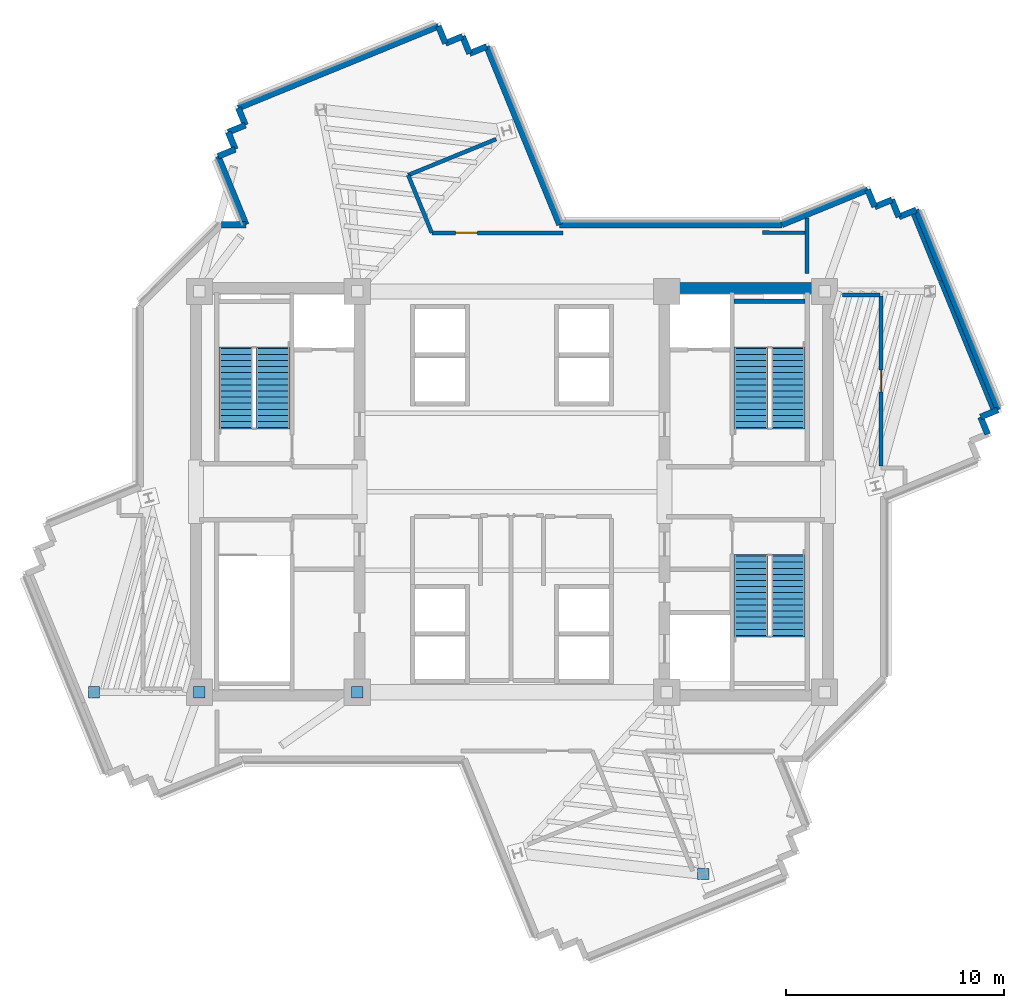
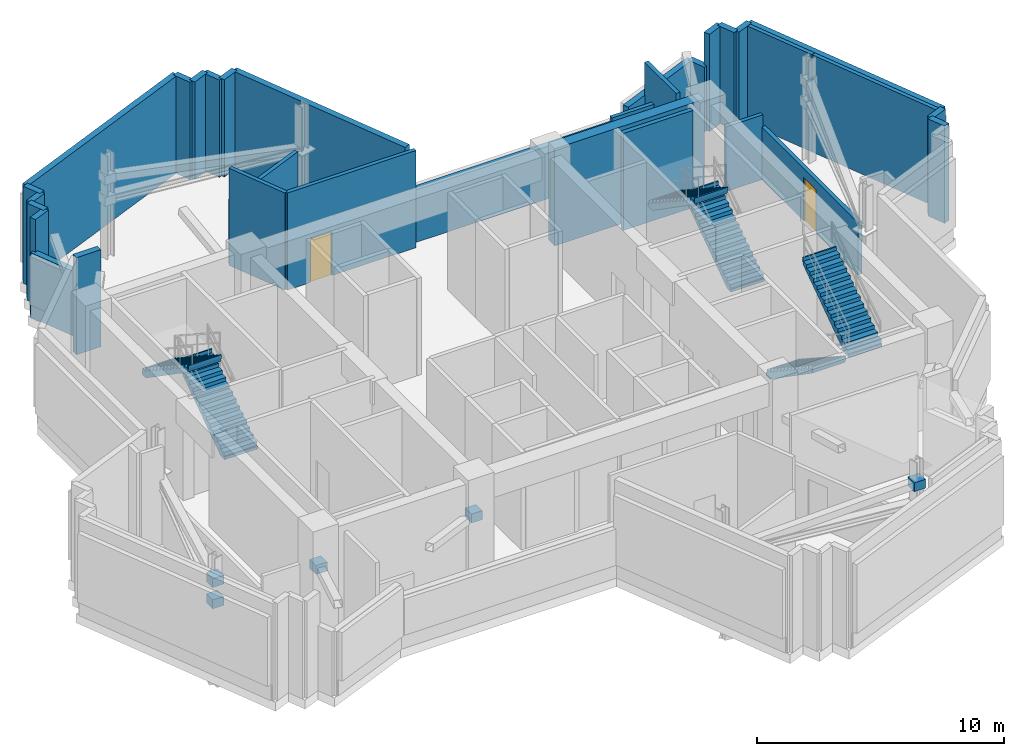
# One storey, part 6 of 11: 32 walls, 6 stair flights, 5 discrete accessories, 2 doors, 2 openings, 3 elements without a shape of their own.
"""IFC4 building model written with IfcOpenShell, lengths in metres."""

import ifcopenshell
import ifcopenshell.guid

model = None  # the IFC model being written
_history = None  # IfcOwnerHistory: only IFC2X3 demands one
_inside = {}  # id of a spatial element -> (the spatial element, [elements in it])
_under = {}  # id of a project, library or spatial element -> (it, [spatial elements below it])
_declared = {}  # id of a project -> (the project, [libraries it declares])
_typed = {}  # id of a type object -> (the type object, [elements of that type])
_made_of = {}  # id of a material, layer set ... -> (it, [elements and type objects made of it])


def new_model(schema):
    """Start an empty IFC model of exactly this schema.

    Asked for "IFC4X3", IfcOpenShell would pick the latest addendum, in which some entities
    have other attributes; the version numbers below select the first issue.
    IFC2X3 requires an IfcOwnerHistory on every rooted entity: one is made here for all.
    """
    global model, _history
    if schema == "IFC4X3":
        model = ifcopenshell.file(schema_version=(4, 3, 0, 0))
    else:
        model = ifcopenshell.file(schema=schema)
    _inside.clear()
    _under.clear()
    _declared.clear()
    _typed.clear()
    _made_of.clear()
    _history = None
    if model.schema == "IFC2X3":
        org = make("IfcOrganization", Name="unknown")
        user = make(
            "IfcPersonAndOrganization",
            ThePerson=make("IfcPerson", FamilyName="unknown"),
            TheOrganization=org,
        )
        app = make(
            "IfcApplication",
            ApplicationDeveloper=org,
            Version="unknown",
            ApplicationFullName="unknown",
            ApplicationIdentifier="unknown",
        )
        _history = make(
            "IfcOwnerHistory",
            OwningUser=user,
            OwningApplication=app,
            ChangeAction="ADDED",
            CreationDate=0,
        )
    return model


def make(cls, **values):
    """One entity of the class cls with the attributes given. An attribute that is None is left unset."""
    return model.create_entity(
        cls, **{name: value for name, value in values.items() if value is not None}
    )


def rooted(cls, **values):
    """An entity with a GlobalId (a new one), such as an element, a storey or a relation."""
    return make(cls, GlobalId=ifcopenshell.guid.new(), OwnerHistory=_history, **values)


def si_unit(unit_type, name, prefix=None):
    """IfcSIUnit, for example si_unit("LENGTHUNIT", "METRE", prefix="MILLI")."""
    return make("IfcSIUnit", UnitType=unit_type, Prefix=prefix, Name=name)


def assignment(units):
    """IfcUnitAssignment: the units of a project."""
    return None if units is None else make("IfcUnitAssignment", Units=units)


def point(xyz):
    """IfcCartesianPoint."""
    return None if xyz is None else make("IfcCartesianPoint", Coordinates=xyz)


def direction(xyz):
    """IfcDirection."""
    return None if xyz is None else make("IfcDirection", DirectionRatios=xyz)


def frame(location, z_axis=None, x_axis=None):
    """IfcAxis2Placement3D, a coordinate frame: its origin and axes. An axis left out is left unset."""
    return make(
        "IfcAxis2Placement3D",
        Location=point(location),
        Axis=direction(z_axis),
        RefDirection=direction(x_axis),
    )


def frame_2d(location, x_axis=None):
    """IfcAxis2Placement2D, a coordinate frame in the plane: its origin and x axis."""
    return make(
        "IfcAxis2Placement2D", Location=point(location), RefDirection=direction(x_axis)
    )


def origin():
    """The frame at (0, 0, 0) with its axes left unset."""
    return frame((0.0, 0.0, 0.0))


def origin_2d():
    """The frame at (0, 0) in the plane with its x axis left unset."""
    return frame_2d((0.0, 0.0))


def place(relative_to, where):
    """IfcLocalPlacement: puts the frame where relative to a parent placement (None: the world)."""
    return make(
        "IfcLocalPlacement", PlacementRelTo=relative_to, RelativePlacement=where
    )


def context(
    kind, dimensions, precision=None, world=None, true_north=None, identifier=None
):
    """IfcGeometricRepresentationContext, for example the 3D "Model" context."""
    return make(
        "IfcGeometricRepresentationContext",
        ContextIdentifier=identifier,
        ContextType=kind,
        CoordinateSpaceDimension=dimensions,
        Precision=precision,
        WorldCoordinateSystem=world,
        TrueNorth=true_north,
    )


def subcontext(parent, identifier, kind, view, scale=None):
    """IfcGeometricRepresentationSubContext, for example "Body" below "Model"."""
    return make(
        "IfcGeometricRepresentationSubContext",
        ContextIdentifier=identifier,
        ContextType=kind,
        ParentContext=parent,
        TargetScale=scale,
        TargetView=view,
    )


def project(units=None, contexts=None):
    """IfcProject with its units and contexts."""
    return rooted(
        "IfcProject",
        Name="project",
        RepresentationContexts=contexts,
        UnitsInContext=assignment(units),
    )


def spatial(cls, under=None, at=None, **own):
    """A site, building, storey or space (cls), placed at a placement, below another one or the project."""
    s = rooted(cls, ObjectPlacement=at, **own)
    if under is not None:
        _under.setdefault(under.id(), (under, []))[1].append(s)
    return s


def polyline(points):
    """IfcPolyline through the points."""
    return make("IfcPolyline", Points=[point(p) for p in points])


def profile(cls, at=None, kind="AREA", **sizes):
    """A parametric profile (cls). Its sizes go by their IFC names, for example OverallWidth=200.0."""
    return make(cls, ProfileType=kind, Position=at, **sizes)


def rectangle(**sizes):
    """IfcRectangleProfileDef."""
    return profile("IfcRectangleProfileDef", **sizes)


def outline(outer, holes=None, kind="AREA"):
    """IfcArbitraryClosedProfileDef: a profile drawn as a closed curve; with holes, ...WithVoids."""
    if holes is None:
        return make("IfcArbitraryClosedProfileDef", ProfileType=kind, OuterCurve=outer)
    return make(
        "IfcArbitraryProfileDefWithVoids",
        ProfileType=kind,
        OuterCurve=outer,
        InnerCurves=holes,
    )


def extrude(swept, where, along, depth):
    """IfcExtrudedAreaSolid: the profile swept, set in the frame where, extruded along a direction by depth."""
    return make(
        "IfcExtrudedAreaSolid",
        SweptArea=swept,
        Position=where,
        ExtrudedDirection=direction(along),
        Depth=depth,
    )


def shape(context_of_items, identifier, shape_type, items):
    """IfcShapeRepresentation: the items that make up one representation, for example the "Body"."""
    return make(
        "IfcShapeRepresentation",
        ContextOfItems=context_of_items,
        RepresentationIdentifier=identifier,
        RepresentationType=shape_type,
        Items=items,
    )


def source(mapping_origin, context_of_items, identifier, shape_type, items):
    """IfcRepresentationMap: a shape defined once, which mapped items show again and again."""
    return make(
        "IfcRepresentationMap",
        MappingOrigin=mapping_origin,
        MappedRepresentation=shape(context_of_items, identifier, shape_type, items),
    )


def transform(
    local_origin,
    x_axis=None,
    y_axis=None,
    z_axis=None,
    scale=None,
    scale2=None,
    scale3=None,
    uniform=True,
):
    """IfcCartesianTransformationOperator3D, or its non-uniform kind. x_axis, y_axis, z_axis: its Axis1, 2, 3."""
    if uniform:
        return make(
            "IfcCartesianTransformationOperator3D",
            Axis1=direction(x_axis),
            Axis2=direction(y_axis),
            LocalOrigin=point(local_origin),
            Scale=scale,
            Axis3=direction(z_axis),
        )
    return make(
        "IfcCartesianTransformationOperator3DnonUniform",
        Axis1=direction(x_axis),
        Axis2=direction(y_axis),
        LocalOrigin=point(local_origin),
        Scale=scale,
        Axis3=direction(z_axis),
        Scale2=scale2,
        Scale3=scale3,
    )


def mapped(mapping_source, mapping_target):
    """IfcMappedItem: shows the shape of a source again, moved by a transform."""
    return make(
        "IfcMappedItem", MappingSource=mapping_source, MappingTarget=mapping_target
    )


def material(Name=None, Category=None):
    """IfcMaterial."""
    return make("IfcMaterial", Name=Name, Category=Category)


def layer(
    of_material, thickness, ventilated=None, Name=None, Category=None, Priority=None
):
    """IfcMaterialLayer: one layer of a wall or slab, of a material (None: an air gap)."""
    return make(
        "IfcMaterialLayer",
        Material=of_material,
        LayerThickness=thickness,
        IsVentilated=ventilated,
        Name=Name,
        Category=Category,
        Priority=Priority,
    )


def layer_set(layers, Name=None):
    """IfcMaterialLayerSet."""
    return make("IfcMaterialLayerSet", MaterialLayers=layers, LayerSetName=Name)


def made_of(thing, what):
    """Note that an element or type object is made of a material, layer set ...; save() writes the relation."""
    if what is not None:
        _made_of.setdefault(what.id(), (what, []))[1].append(thing)
    return thing


def type_object(cls, material=None, **own):
    """A type object (cls), such as IfcWallType, which elements share."""
    return made_of(rooted(cls, **own), material)


def element(
    cls,
    number,
    at=None,
    inside=None,
    cuts=None,
    type_object=None,
    material=None,
    context=None,
    identifier="Body",
    shape_type=None,
    held_by="IfcProductDefinitionShape",
    body=None,
    shapes=None,
    **own,
):
    """One element of the class cls, such as IfcWall. Its Tag is "e" and its number.

    at: its placement. inside: the storey or other place that contains it. cuts: it is an
    opening in that element (IfcRelVoidsElement). A single representation is given by context,
    identifier, shape_type and body (its items); several are given by shapes. held_by: the class
    of the entity that holds the representations. save() writes the other relations.
    """
    e = rooted(cls, Tag="e%d" % number, ObjectPlacement=at, **own)
    if body is not None:
        shapes = [shape(context, identifier, shape_type, body)]
    if shapes is not None:
        e.Representation = make(held_by, Representations=shapes)
    if inside is not None:
        _inside.setdefault(inside.id(), (inside, []))[1].append(e)
    if cuts is not None:
        rooted(
            "IfcRelVoidsElement", RelatingBuildingElement=cuts, RelatedOpeningElement=e
        )
    if type_object is not None:
        _typed.setdefault(type_object.id(), (type_object, []))[1].append(e)
    return made_of(e, material)


def fill(opening, filler):
    """IfcRelFillsElement: the door or window that sits in an opening."""
    return rooted(
        "IfcRelFillsElement",
        RelatingOpeningElement=opening,
        RelatedBuildingElement=filler,
    )


def aggregate(whole, parts):
    """IfcRelAggregates: a whole, such as a stair, and the parts it consists of."""
    return rooted("IfcRelAggregates", RelatingObject=whole, RelatedObjects=parts)


def save(model, path):
    """Write the relations noted so far, then the file.

    IfcRelAggregates (storeys below a building ...), IfcRelContainedInSpatialStructure (elements
    in a storey), IfcRelDefinesByType, IfcRelAssociatesMaterial and IfcRelDeclares: one each for
    every whole, place, type object, material and project.
    """
    for whole, parts in _under.values():
        aggregate(whole, parts)
    for where, things in _inside.values():
        rooted(
            "IfcRelContainedInSpatialStructure",
            RelatedElements=things,
            RelatingStructure=where,
        )
    for kind, things in _typed.values():
        rooted("IfcRelDefinesByType", RelatedObjects=things, RelatingType=kind)
    for what, things in _made_of.values():
        rooted("IfcRelAssociatesMaterial", RelatedObjects=things, RelatingMaterial=what)
    for by, libraries in _declared.values():
        rooted("IfcRelDeclares", RelatingContext=by, RelatedDefinitions=libraries)
    model.write(path)


model = new_model("IFC4")

# Units and contexts
model_context = context("Model", 3, precision=1e-05, world=origin(), true_north=direction((0.0, 1.0)))
body_context = subcontext(model_context, "Body", "Model", "MODEL_VIEW")
ifc_project = project(units=[si_unit("LENGTHUNIT", "METRE"), si_unit("AREAUNIT", "SQUARE_METRE"), si_unit("VOLUMEUNIT", "CUBIC_METRE"), si_unit("PLANEANGLEUNIT", "RADIAN"), si_unit("MASSUNIT", "GRAM", prefix="KILO")], contexts=[model_context])

# Site, building, storey
site_placement = place(None, origin())
site = spatial("IfcSite", under=ifc_project, at=site_placement, CompositionType="ELEMENT")
building_placement = place(site_placement, origin())
building = spatial("IfcBuilding", under=site, at=building_placement, Name="Zahravan Cultural Tower", CompositionType="ELEMENT")
storey_placement = place(building_placement, frame((0.0, 0.0, 229.199951171875)))
storey = spatial("IfcBuildingStorey", under=building, at=storey_placement, Name="L54", CompositionType="ELEMENT", Elevation=229.199951171875)

# Wall, opening, door
ifc_material_1 = material(Name="Gypsum plasterboard partition")
ifc_layer_1 = layer(ifc_material_1, 0.179931640625)
ifc_layer_set_1 = layer_set([ifc_layer_1], Name="Gypsum plasterboard partition")
wall_type_1 = type_object("IfcWallType", Name="W-COMP-180", PredefinedType="PARTITIONING", material=ifc_layer_set_1)
wall_1_placement = place(storey_placement, frame((38.334716796875, 38.889892578125, 0.0), z_axis=(0.0, 0.0, 1.0), x_axis=(-1.0, 0.0, 0.0)))
wall_1 = element("IfcWall", 1, at=wall_1_placement, inside=storey, type_object=wall_type_1, Name="L54 Interior Wall 065", PredefinedType="PARTITIONING", context=body_context, shape_type="SweptSolid", body=[
    extrude(rectangle(XDim=6.017333984375, YDim=0.179931640625, at=frame_2d((3.0087890625, 0.0))), origin(), (0.0, 0.0, 1.0), 4.800048828125),
])
opening_1_placement = place(wall_1_placement, frame((3.927490234375, 0.0, 0.0)))
opening_1 = element("IfcOpeningElement", 2, at=opening_1_placement, cuts=wall_1, Name="Opening D-L54-16", PredefinedType="OPENING", context=body_context, shape_type="SweptSolid", body=[
    extrude(rectangle(XDim=1.0, YDim=2.14990234375, at=frame_2d((0.5, 1.074951171875))), frame((0.0, 0.099853515625, 0.0), z_axis=(0.0, -1.0, 0.0), x_axis=(1.0, 0.0, 0.0)), (0.0, 0.0, 1.0), 0.199951171875),
])
ifc_material_2 = material(Name="Steel ASTM A572 Grade 50", Category="steel")
door_type = type_object("IfcDoorType", Name="DR-COMP-1000", OperationType="NOTDEFINED", PredefinedType="DOOR", material=ifc_material_2)
shared_shape_1 = source(origin(), body_context, "Body", "SweptSolid", [
    extrude(rectangle(XDim=1.0, YDim=2.14990234375, at=frame_2d((0.5, 1.074951171875))), frame((0.0, 0.02490234375, 0.0), z_axis=(0.0, -1.0, 0.0), x_axis=(1.0, 0.0, 0.0)), (0.0, 0.0, 1.0), 0.050048828125),
])
door_1_placement = place(opening_1_placement, origin())
door_1 = element("IfcDoor", 3, at=door_1_placement, inside=storey, type_object=door_type, Name="L54 Door D-L54-16", OperationType="SINGLE_SWING_LEFT", OverallHeight=2.14990234375, OverallWidth=1.0, PredefinedType="DOOR", context=body_context, shape_type="MappedRepresentation", body=[
    mapped(shared_shape_1, transform((0.0, 0.0, 0.0), x_axis=(1.0, 0.0, 0.0), y_axis=(0.0, 1.0, 0.0), z_axis=(0.0, 0.0, 1.0), scale=1.0)),
])
fill(opening_1, door_1)

wall_2_placement = place(storey_placement, frame((52.93994140625, 28.18505859375, 0.0), z_axis=(0.0, 0.0, 1.0), x_axis=(0.0, 1.0, 0.0)))
wall_2 = element("IfcWall", 4, at=wall_2_placement, inside=storey, type_object=wall_type_1, Name="L54 Interior Wall 078", PredefinedType="PARTITIONING", context=body_context, shape_type="SweptSolid", body=[
    extrude(rectangle(XDim=7.8076171875, YDim=0.179931640625, at=frame_2d((3.90380859375, 0.0))), origin(), (0.0, 0.0, 1.0), 2.592041015625),
])
opening_2_placement = place(wall_2_placement, frame((3.40380859375, 0.0, 0.0)))
opening_2 = element("IfcOpeningElement", 5, at=opening_2_placement, cuts=wall_2, Name="Opening D-L54-14", PredefinedType="OPENING", context=body_context, shape_type="SweptSolid", body=[
    extrude(rectangle(XDim=1.0, YDim=2.14990234375, at=frame_2d((0.5, 1.074951171875))), frame((0.0, 0.099853515625, 0.0), z_axis=(0.0, -1.0, 0.0), x_axis=(1.0, 0.0, 0.0)), (0.0, 0.0, 1.0), 0.199951171875),
])
door_2_placement = place(opening_2_placement, origin())
door_2 = element("IfcDoor", 6, at=door_2_placement, inside=storey, type_object=door_type, Name="L54 Door D-L54-14", OperationType="SINGLE_SWING_LEFT", OverallHeight=2.14990234375, OverallWidth=1.0, PredefinedType="DOOR", context=body_context, shape_type="MappedRepresentation", body=[
    mapped(shared_shape_1, transform((0.0, 0.0, 0.0), x_axis=(1.0, 0.0, 0.0), y_axis=(0.0, 1.0, 0.0), z_axis=(0.0, 0.0, 1.0), scale=1.0)),
])
fill(opening_2, door_2)

# Walls
ifc_material_3 = material(Name="Concrete C60/75", Category="concrete")
ifc_layer_2 = layer(ifc_material_3, 0.5)
ifc_layer_set_2 = layer_set([ifc_layer_2], Name="Concrete C60/75")
wall_type_2 = type_object("IfcWallType", Name="CW-SHEAR-500-C60", PredefinedType="SHEAR", material=ifc_layer_set_2)
shared_shape_2 = source(origin(), body_context, "Body", "SweptSolid", [
    extrude(rectangle(XDim=7.0, YDim=0.5, at=frame_2d((3.5, 0.0))), origin(), (0.0, 0.0, 1.0), 4.800048828125),
])
wall_3_placement = place(storey_placement, frame((43.25, 36.35009765625, 0.0), z_axis=(0.0, 0.0, 1.0), x_axis=(1.0, 0.0, 0.0)))
element("IfcWall", 7, at=wall_3_placement, inside=storey, type_object=wall_type_2, Name="L54 Core Shear Wall CW-E-N-L54", PredefinedType="SHEAR", context=body_context, shape_type="MappedRepresentation", body=[
    mapped(shared_shape_2, transform((0.0, 0.0, 0.0), x_axis=(1.0, 0.0, 0.0), y_axis=(0.0, 1.0, 0.0), z_axis=(0.0, 0.0, 1.0), scale=1.0)),
])
ifc_material_4 = material(Name="Precast concrete C40/50", Category="concrete")
ifc_layer_3 = layer(ifc_material_4, 0.280029296875)
ifc_layer_set_3 = layer_set([ifc_layer_3], Name="Precast concrete C40/50")
wall_type_3 = type_object("IfcWallType", Name="EW-TC-280", PredefinedType="SOLIDWALL", material=ifc_layer_set_3)
shared_shape_3 = source(origin(), body_context, "Body", "SweptSolid", [
    extrude(rectangle(XDim=4.25146484375, YDim=0.280029296875, at=frame_2d((2.125732421875, 0.0))), origin(), (0.0, 0.0, 1.0), 3.192138671875),
])
wall_4_placement = place(storey_placement, frame((48.39111328125, 39.260009765625, 0.0), z_axis=(0.0, 0.0, 1.0), x_axis=(0.925650288582, 0.378380157049, 0.0)))
element("IfcWall", 8, at=wall_4_placement, inside=storey, type_object=wall_type_3, Name="L54 Exterior Masonry Frame Wall 01", PredefinedType="SOLIDWALL", context=body_context, shape_type="MappedRepresentation", body=[
    mapped(shared_shape_3, transform((0.0, 0.0, 0.0), x_axis=(1.0, 0.0, 0.0), y_axis=(0.0, 1.0, 0.0), z_axis=(0.0, 0.0, 1.0), scale=1.0)),
])
shared_shape_4 = source(origin(), body_context, "Body", "SweptSolid", [
    extrude(rectangle(XDim=0.85009765625, YDim=0.280029296875, at=frame_2d((0.425048828125, 0.0))), origin(), (0.0, 0.0, 1.0), 3.192138671875),
])
wall_5_placement = place(storey_placement, frame((52.326416015625, 40.86865234375, 0.0), z_axis=(0.0, 0.0, 1.0), x_axis=(0.378263755491, -0.925697861768, 0.0)))
element("IfcWall", 9, at=wall_5_placement, inside=storey, type_object=wall_type_3, Name="L54 Exterior Masonry Frame Wall 02", PredefinedType="SOLIDWALL", context=body_context, shape_type="MappedRepresentation", body=[
    mapped(shared_shape_4, transform((0.0, 0.0, 0.0), x_axis=(1.0, 0.0, 0.0), y_axis=(0.0, 1.0, 0.0), z_axis=(0.0, 0.0, 1.0), scale=1.0)),
])
shared_shape_5 = source(origin(), body_context, "Body", "SweptSolid", [
    extrude(rectangle(XDim=0.85009765625, YDim=0.280029296875, at=frame_2d((0.425048828125, 0.0))), origin(), (0.0, 0.0, 1.0), 4.800048828125),
])
for number, where, z_axis, x_axis, name in (
    (10, (52.64794921875, 40.081787109375, 0.0), (0.0, 0.0, 1.0), (0.925697861768, 0.378263755491, 0.0), "L54 Exterior Masonry Frame Wall 03"),
    (11, (53.75634765625, 39.61669921875, 0.0), (0.0, 0.0, 1.0), (0.925697861768, 0.378263755491, 0.0), "L54 Exterior Masonry Frame Wall 05"),
    (12, (58.296630859375, 30.755859375, 0.0), (0.0, 0.0, 1.0), (-0.925597268944, -0.378509835702, 0.0), "L54 Exterior Masonry Frame Wall 07"),
    (13, (22.509765625, 42.400634765625, 0.0), (0.0, 0.0, 1.0), (0.925697861768, 0.378263755491, 0.0), "L54 Exterior Masonry Frame Wall 42"),
    (14, (23.296630859375, 42.72216796875, 0.0), (0.0, 0.0, 1.0), (-0.378263755491, 0.925697861768, 0.0), "L54 Exterior Masonry Frame Wall 43"),
    (15, (32.62255859375, 48.370849609375, 0.0), (0.0, 0.0, 1.0), (0.378263755491, -0.925697861768, 0.0), "L54 Exterior Masonry Frame Wall 47"),
    (16, (32.944091796875, 47.583984375, 0.0), (0.0, 0.0, 1.0), (0.925597268944, 0.378509835702, 0.0), "L54 Exterior Masonry Frame Wall 48"),
    (17, (33.73095703125, 47.90576171875, 0.0), (0.0, 0.0, 1.0), (0.378263755491, -0.925697861768, 0.0), "L54 Exterior Masonry Frame Wall 49"),
    (18, (34.052490234375, 47.118896484375, 0.0), (0.0, 0.0, 1.0), (0.925597268944, 0.378509835702, 0.0), "L54 Exterior Masonry Frame Wall 50"),
):
    element("IfcWall", number, at=place(storey_placement, frame(where, z_axis=z_axis, x_axis=x_axis)), inside=storey, type_object=wall_type_3, Name=name, PredefinedType="SOLIDWALL", context=body_context, shape_type="MappedRepresentation", body=[
        mapped(shared_shape_5, transform((0.0, 0.0, 0.0), x_axis=(1.0, 0.0, 0.0), y_axis=(0.0, 1.0, 0.0), z_axis=(0.0, 0.0, 1.0), scale=1.0)),
    ])
shared_shape_6 = source(origin(), body_context, "Body", "SweptSolid", [
    extrude(rectangle(XDim=0.849853515625, YDim=0.280029296875, at=frame_2d((0.4248046875, 0.0))), origin(), (0.0, 0.0, 1.0), 4.800048828125),
])
for number, where, z_axis, x_axis, name in (
    (19, (53.434814453125, 40.4033203125, 0.0), (0.0, 0.0, 1.0), (0.378364351045, -0.92565674948, 0.0), "L54 Exterior Masonry Frame Wall 04"),
    (20, (57.509765625, 30.43408203125, 0.0), (0.0, 0.0, 1.0), (0.378364351045, -0.92565674948, 0.0), "L54 Exterior Masonry Frame Wall 08"),
    (21, (22.97509765625, 43.509033203125, 0.0), (0.0, 0.0, 1.0), (0.925556107625, 0.378610474814, 0.0), "L54 Exterior Masonry Frame Wall 44"),
    (22, (23.76171875, 43.830810546875, 0.0), (0.0, 0.0, 1.0), (-0.378364351045, 0.92565674948, 0.0), "L54 Exterior Masonry Frame Wall 45"),
):
    element("IfcWall", number, at=place(storey_placement, frame(where, z_axis=z_axis, x_axis=x_axis)), inside=storey, type_object=wall_type_3, Name=name, PredefinedType="SOLIDWALL", context=body_context, shape_type="MappedRepresentation", body=[
        mapped(shared_shape_6, transform((0.0, 0.0, 0.0), x_axis=(1.0, 0.0, 0.0), y_axis=(0.0, 1.0, 0.0), z_axis=(0.0, 0.0, 1.0), scale=1.0)),
    ])
shared_shape_7 = source(origin(), body_context, "Body", "SweptSolid", [
    extrude(rectangle(XDim=9.919921875, YDim=0.280029296875, at=frame_2d((4.9599609375, 0.0))), origin(), (0.0, 0.0, 1.0), 4.800048828125),
])
for number, where, z_axis, x_axis, name in (
    (23, (54.543212890625, 39.938232421875, 0.0), (0.0, 0.0, 1.0), (0.378373127836, -0.925653161898, 0.0), "L54 Exterior Masonry Frame Wall 06"),
    (24, (23.440185546875, 44.617431640625, 0.0), (0.0, 0.0, 1.0), (0.925653161898, 0.378373127836, 0.0), "L54 Exterior Masonry Frame Wall 46"),
):
    element("IfcWall", number, at=place(storey_placement, frame(where, z_axis=z_axis, x_axis=x_axis)), inside=storey, type_object=wall_type_3, Name=name, PredefinedType="SOLIDWALL", context=body_context, shape_type="MappedRepresentation", body=[
        mapped(shared_shape_7, transform((0.0, 0.0, 0.0), x_axis=(1.0, 0.0, 0.0), y_axis=(0.0, 1.0, 0.0), z_axis=(0.0, 0.0, 1.0), scale=1.0)),
    ])
shared_shape_8 = source(origin(), body_context, "Body", "SweptSolid", [
    extrude(rectangle(XDim=1.1357421875, YDim=0.280029296875, at=frame_2d((0.56787109375, 0.0))), origin(), (0.0, 0.0, 1.0), 4.800048828125),
])
wall_6_placement = place(storey_placement, frame((22.657958984375, 39.260009765625, 0.0), z_axis=(0.0, 0.0, 1.0), x_axis=(1.0, 0.0, 0.0)))
element("IfcWall", 25, at=wall_6_placement, inside=storey, type_object=wall_type_3, Name="L54 Exterior Masonry Frame Wall 40", PredefinedType="SOLIDWALL", context=body_context, shape_type="MappedRepresentation", body=[
    mapped(shared_shape_8, transform((0.0, 0.0, 0.0), x_axis=(1.0, 0.0, 0.0), y_axis=(0.0, 1.0, 0.0), z_axis=(0.0, 0.0, 1.0), scale=1.0)),
])
shared_shape_9 = source(origin(), body_context, "Body", "SweptSolid", [
    extrude(rectangle(XDim=3.392822265625, YDim=0.280029296875, at=frame_2d((1.6962890625, 0.0))), origin(), (0.0, 0.0, 1.0), 3.192138671875),
])
wall_7_placement = place(storey_placement, frame((23.793701171875, 39.260009765625, 0.0), z_axis=(0.0, 0.0, 1.0), x_axis=(-0.378414294029, 0.925636333597, 0.0)))
element("IfcWall", 26, at=wall_7_placement, inside=storey, type_object=wall_type_3, Name="L54 Exterior Masonry Frame Wall 41", PredefinedType="SOLIDWALL", context=body_context, shape_type="MappedRepresentation", body=[
    mapped(shared_shape_9, transform((0.0, 0.0, 0.0), x_axis=(1.0, 0.0, 0.0), y_axis=(0.0, 1.0, 0.0), z_axis=(0.0, 0.0, 1.0), scale=1.0)),
])
shared_shape_10 = source(origin(), body_context, "Body", "SweptSolid", [
    extrude(rectangle(XDim=8.837646484375, YDim=0.280029296875, at=frame_2d((4.4189453125, 0.0))), origin(), (0.0, 0.0, 1.0), 4.800048828125),
])
wall_8_placement = place(storey_placement, frame((34.83935546875, 47.440673828125, 0.0), z_axis=(0.0, 0.0, 1.0), x_axis=(0.378376825166, -0.925651650556, 0.0)))
element("IfcWall", 27, at=wall_8_placement, inside=storey, type_object=wall_type_3, Name="L54 Exterior Masonry Frame Wall 51", PredefinedType="SOLIDWALL", context=body_context, shape_type="MappedRepresentation", body=[
    mapped(shared_shape_10, transform((0.0, 0.0, 0.0), x_axis=(1.0, 0.0, 0.0), y_axis=(0.0, 1.0, 0.0), z_axis=(0.0, 0.0, 1.0), scale=1.0)),
])
shared_shape_11 = source(origin(), body_context, "Body", "SweptSolid", [
    extrude(rectangle(XDim=10.207763671875, YDim=0.280029296875, at=frame_2d((5.10400390625, 0.0))), origin(), (0.0, 0.0, 1.0), 2.592041015625),
])
wall_9_placement = place(storey_placement, frame((38.183349609375, 39.260009765625, 0.0), z_axis=(0.0, 0.0, 1.0), x_axis=(1.0, 0.0, 0.0)))
element("IfcWall", 28, at=wall_9_placement, inside=storey, type_object=wall_type_3, Name="L54 Exterior Masonry Frame Wall 52", PredefinedType="SOLIDWALL", context=body_context, shape_type="MappedRepresentation", body=[
    mapped(shared_shape_11, transform((0.0, 0.0, 0.0), x_axis=(1.0, 0.0, 0.0), y_axis=(0.0, 1.0, 0.0), z_axis=(0.0, 0.0, 1.0), scale=1.0)),
])
ifc_material_5 = material(Name="Concrete C45/55", Category="concrete")
ifc_layer_4 = layer(ifc_material_5, 0.199951171875)
ifc_layer_set_4 = layer_set([ifc_layer_4], Name="Concrete C45/55")
wall_type_4 = type_object("IfcWallType", Name="W-SHAFT-200", PredefinedType="SOLIDWALL", material=ifc_layer_set_4)
shared_shape_12 = source(origin(), body_context, "Body", "SweptSolid", [
    extrude(rectangle(XDim=3.25, YDim=0.199951171875, at=frame_2d((1.625, 0.0))), origin(), (0.0, 0.0, 1.0), 4.800048828125),
])
wall_10_placement = place(storey_placement, frame((46.199951171875, 35.75, 0.0), z_axis=(0.0, 0.0, 1.0), x_axis=(1.0, 0.0, 0.0)))
element("IfcWall", 29, at=wall_10_placement, inside=storey, type_object=wall_type_4, Name="L54 Interior Wall 018", PredefinedType="SOLIDWALL", context=body_context, shape_type="MappedRepresentation", body=[
    mapped(shared_shape_12, transform((0.0, 0.0, 0.0), x_axis=(1.0, 0.0, 0.0), y_axis=(0.0, 1.0, 0.0), z_axis=(0.0, 0.0, 1.0), scale=1.0)),
])
shared_shape_13 = source(origin(), body_context, "Body", "SweptSolid", [
    extrude(rectangle(XDim=2.860595703125, YDim=0.179931640625, at=frame_2d((1.43017578125, 0.0))), origin(), (0.0, 0.0, 1.0), 4.800048828125),
])
wall_11_placement = place(storey_placement, frame((32.3173828125, 38.889892578125, 0.0), z_axis=(0.0, 0.0, 1.0), x_axis=(-0.378413509598, 0.925636654284, 0.0)))
element("IfcWall", 30, at=wall_11_placement, inside=storey, type_object=wall_type_1, Name="L54 Interior Wall 066", PredefinedType="PARTITIONING", context=body_context, shape_type="MappedRepresentation", body=[
    mapped(shared_shape_13, transform((0.0, 0.0, 0.0), x_axis=(1.0, 0.0, 0.0), y_axis=(0.0, 1.0, 0.0), z_axis=(0.0, 0.0, 1.0), scale=1.0)),
])
shared_shape_14 = source(origin(), body_context, "Body", "SweptSolid", [
    extrude(rectangle(XDim=4.3642578125, YDim=0.179931640625, at=frame_2d((2.18212890625, 0.0))), origin(), (0.0, 0.0, 1.0), 3.192138671875),
])
wall_12_placement = place(storey_placement, frame((31.23486328125, 41.537841796875, 0.0), z_axis=(0.0, 0.0, 1.0), x_axis=(0.925649397598, 0.378382336699, 0.0)))
element("IfcWall", 31, at=wall_12_placement, inside=storey, type_object=wall_type_1, Name="L54 Interior Wall 067", PredefinedType="PARTITIONING", context=body_context, shape_type="MappedRepresentation", body=[
    mapped(shared_shape_14, transform((0.0, 0.0, 0.0), x_axis=(1.0, 0.0, 0.0), y_axis=(0.0, 1.0, 0.0), z_axis=(0.0, 0.0, 1.0), scale=1.0)),
])
shared_shape_15 = source(origin(), body_context, "Body", "SweptSolid", [
    extrude(rectangle(XDim=3.28662109375, YDim=0.179931640625, at=frame_2d((1.643310546875, 0.0))), origin(), (0.0, 0.0, 1.0), 4.800048828125),
])
wall_13_placement = place(storey_placement, frame((54.412841796875, 39.728271484375, 0.0), z_axis=(0.0, 0.0, 1.0), x_axis=(0.378398545738, -0.925642771583, 0.0)))
element("IfcWall", 32, at=wall_13_placement, inside=storey, type_object=wall_type_1, Name="L54 Interior Wall 074", PredefinedType="PARTITIONING", context=body_context, shape_type="MappedRepresentation", body=[
    mapped(shared_shape_15, transform((0.0, 0.0, 0.0), x_axis=(1.0, 0.0, 0.0), y_axis=(0.0, 1.0, 0.0), z_axis=(0.0, 0.0, 1.0), scale=1.0)),
])
shared_shape_16 = source(origin(), body_context, "Body", "SweptSolid", [
    extrude(rectangle(XDim=6.3212890625, YDim=0.179931640625, at=frame_2d((3.16064453125, 0.0))), origin(), (0.0, 0.0, 1.0), 4.800048828125),
])
wall_14_placement = place(storey_placement, frame((55.664794921875, 36.66552734375, 0.0), z_axis=(0.0, 0.0, 1.0), x_axis=(0.378378678887, -0.925650892812, 0.0)))
element("IfcWall", 33, at=wall_14_placement, inside=storey, type_object=wall_type_1, Name="L54 Interior Wall 075", PredefinedType="PARTITIONING", context=body_context, shape_type="MappedRepresentation", body=[
    mapped(shared_shape_16, transform((0.0, 0.0, 0.0), x_axis=(1.0, 0.0, 0.0), y_axis=(0.0, 1.0, 0.0), z_axis=(0.0, 0.0, 1.0), scale=1.0)),
])
shared_shape_17 = source(origin(), body_context, "Body", "SweptSolid", [
    extrude(rectangle(XDim=1.7255859375, YDim=0.179931640625, at=frame_2d((0.86279296875, 0.0))), origin(), (0.0, 0.0, 1.0), 3.192138671875),
])
wall_15_placement = place(storey_placement, frame((52.8955078125, 36.0400390625, 0.0), z_axis=(0.0, 0.0, 1.0), x_axis=(-1.0, 0.0, 0.0)))
element("IfcWall", 34, at=wall_15_placement, inside=storey, type_object=wall_type_1, Name="L54 Interior Wall 079", PredefinedType="PARTITIONING", context=body_context, shape_type="MappedRepresentation", body=[
    mapped(shared_shape_17, transform((0.0, 0.0, 0.0), x_axis=(1.0, 0.0, 0.0), y_axis=(0.0, 1.0, 0.0), z_axis=(0.0, 0.0, 1.0), scale=1.0)),
])
shared_shape_18 = source(origin(), body_context, "Body", "SweptSolid", [
    extrude(rectangle(XDim=2.557861328125, YDim=0.179931640625, at=frame_2d((1.27880859375, 0.0))), origin(), (0.0, 0.0, 1.0), 4.800048828125),
])
wall_16_placement = place(storey_placement, frame((49.5400390625, 37.02001953125, 0.0), z_axis=(0.0, 0.0, 1.0), x_axis=(0.0, 1.0, 0.0)))
element("IfcWall", 35, at=wall_16_placement, inside=storey, type_object=wall_type_1, Name="L54 Interior Wall 080", PredefinedType="PARTITIONING", context=body_context, shape_type="MappedRepresentation", body=[
    mapped(shared_shape_18, transform((0.0, 0.0, 0.0), x_axis=(1.0, 0.0, 0.0), y_axis=(0.0, 1.0, 0.0), z_axis=(0.0, 0.0, 1.0), scale=1.0)),
])
shared_shape_19 = source(origin(), body_context, "Body", "SweptSolid", [
    extrude(rectangle(XDim=1.94873046875, YDim=0.179931640625, at=frame_2d((0.974365234375, 0.0))), origin(), (0.0, 0.0, 1.0), 3.192138671875),
])
wall_17_placement = place(storey_placement, frame((49.445068359375, 38.89013671875, 0.0), z_axis=(0.0, 0.0, 1.0), x_axis=(-0.999997732001, 0.002129787202, 0.0)))
element("IfcWall", 36, at=wall_17_placement, inside=storey, type_object=wall_type_1, Name="L54 Interior Wall 081", PredefinedType="PARTITIONING", context=body_context, shape_type="MappedRepresentation", body=[
    mapped(shared_shape_19, transform((0.0, 0.0, 0.0), x_axis=(1.0, 0.0, 0.0), y_axis=(0.0, 1.0, 0.0), z_axis=(0.0, 0.0, 1.0), scale=1.0)),
])

# Stair, stair flights
stair_type = type_object("IfcStairType", Name="STR-DL-1550-510", PredefinedType="HALF_TURN_STAIR", material=ifc_material_5)
stair_1_placement = place(storey_placement, origin())
stair_1 = element("IfcStair", 37, at=stair_1_placement, inside=storey, type_object=stair_type, Name="L54 West Core North Exit Stair ST-W1", PredefinedType="HALF_TURN_STAIR")
stair_flight_type = type_object("IfcStairFlightType", Name="FLG-DL-1550-510", PredefinedType="STRAIGHT", material=ifc_material_5)
stair_flight_1_placement = place(storey_placement, frame((25.02490234375, 29.949951171875, 0.0), z_axis=(0.0, 0.0, 1.0), x_axis=(0.0, 1.0, 0.0)))
stair_flight_1 = element("IfcStairFlight", 38, at=stair_flight_1_placement, type_object=stair_flight_type, Name="ST-W1 flight 1", NumberOfRisers=14, NumberOfTreads=13, PredefinedType="STRAIGHT", RiserHeight=0.182142857, TreadLength=0.28, context=body_context, shape_type="SweptSolid", body=[
    extrude(outline(polyline([(-0.06494140625, -0.139892578125), (-0.06494140625, 0.0), (0.0, 0.0), (0.0, 0.18212890625), (0.280029296875, 0.18212890625), (0.280029296875, 0.3642578125), (0.56005859375, 0.3642578125), (0.56005859375, 0.54638671875), (0.840087890625, 0.54638671875), (0.840087890625, 0.728515625), (1.1201171875, 0.728515625), (1.1201171875, 0.91064453125), (1.39990234375, 0.91064453125), (1.39990234375, 1.0927734375), (1.679931640625, 1.0927734375), (1.679931640625, 1.27490234375), (1.9599609375, 1.27490234375), (1.9599609375, 1.45703125), (2.239990234375, 1.45703125), (2.239990234375, 1.639404296875), (2.52001953125, 1.639404296875), (2.52001953125, 1.821533203125), (2.800048828125, 1.821533203125), (2.800048828125, 2.003662109375), (3.080078125, 2.003662109375), (3.080078125, 2.185791015625), (3.360107421875, 2.185791015625), (3.360107421875, 2.367919921875), (3.639892578125, 2.367919921875), (3.639892578125, 2.550048828125), (3.705078125, 2.550048828125), (3.705078125, 2.400146484375), (3.639892578125, 2.18896484375), (0.27490234375, -0.139892578125), (-0.06494140625, -0.139892578125)])), frame((0.0, 0.77490234375, 0.0), z_axis=(0.0, -1.0, 0.0), x_axis=(1.0, 0.0, 0.0)), (0.0, 0.0, 1.0), 1.550048828125),
])
stair_flight_2_placement = place(storey_placement, frame((23.324951171875, 33.590087890625, 2.550048828125), z_axis=(0.0, 0.0, 1.0), x_axis=(0.0, -1.0, 0.0)))
stair_flight_2 = element("IfcStairFlight", 39, at=stair_flight_2_placement, type_object=stair_flight_type, Name="ST-W1 flight 2", NumberOfRisers=14, NumberOfTreads=13, PredefinedType="STRAIGHT", RiserHeight=0.182142857, TreadLength=0.28, context=body_context, shape_type="SweptSolid", body=[
    extrude(outline(polyline([(-0.06494140625, -0.139892578125), (-0.06494140625, 0.0), (0.0, 0.0), (0.0, 0.18212890625), (0.280029296875, 0.18212890625), (0.280029296875, 0.3642578125), (0.56005859375, 0.3642578125), (0.56005859375, 0.54638671875), (0.840087890625, 0.54638671875), (0.840087890625, 0.728515625), (1.1201171875, 0.728515625), (1.1201171875, 0.91064453125), (1.39990234375, 0.91064453125), (1.39990234375, 1.0927734375), (1.679931640625, 1.0927734375), (1.679931640625, 1.27490234375), (1.9599609375, 1.27490234375), (1.9599609375, 1.45703125), (2.239990234375, 1.45703125), (2.239990234375, 1.639404296875), (2.52001953125, 1.639404296875), (2.52001953125, 1.821533203125), (2.800048828125, 1.821533203125), (2.800048828125, 2.003662109375), (3.080078125, 2.003662109375), (3.080078125, 2.185791015625), (3.360107421875, 2.185791015625), (3.360107421875, 2.367919921875), (3.639892578125, 2.367919921875), (3.639892578125, 2.550048828125), (3.705078125, 2.550048828125), (3.705078125, 2.400146484375), (3.639892578125, 2.18896484375), (0.27490234375, -0.139892578125), (-0.06494140625, -0.139892578125)])), frame((0.0, 0.77490234375, 0.0), z_axis=(0.0, -1.0, 0.0), x_axis=(1.0, 0.0, 0.0)), (0.0, 0.0, 1.0), 1.550048828125),
])
aggregate(stair_1, [stair_flight_1, stair_flight_2])

stair_2_placement = place(storey_placement, origin())
stair_2 = element("IfcStair", 40, at=stair_2_placement, inside=storey, type_object=stair_type, Name="L54 East Core North Exit Stair ST-E1", PredefinedType="HALF_TURN_STAIR")
stair_flight_3_placement = place(storey_placement, frame((48.675048828125, 29.949951171875, 0.0), z_axis=(0.0, 0.0, 1.0), x_axis=(0.0, 1.0, 0.0)))
stair_flight_3 = element("IfcStairFlight", 41, at=stair_flight_3_placement, type_object=stair_flight_type, Name="ST-E1 flight 1", NumberOfRisers=14, NumberOfTreads=13, PredefinedType="STRAIGHT", RiserHeight=0.182142857, TreadLength=0.28, context=body_context, shape_type="SweptSolid", body=[
    extrude(outline(polyline([(-0.06494140625, -0.139892578125), (-0.06494140625, 0.0), (0.0, 0.0), (0.0, 0.18212890625), (0.280029296875, 0.18212890625), (0.280029296875, 0.3642578125), (0.56005859375, 0.3642578125), (0.56005859375, 0.54638671875), (0.840087890625, 0.54638671875), (0.840087890625, 0.728515625), (1.1201171875, 0.728515625), (1.1201171875, 0.91064453125), (1.39990234375, 0.91064453125), (1.39990234375, 1.0927734375), (1.679931640625, 1.0927734375), (1.679931640625, 1.27490234375), (1.9599609375, 1.27490234375), (1.9599609375, 1.45703125), (2.239990234375, 1.45703125), (2.239990234375, 1.639404296875), (2.52001953125, 1.639404296875), (2.52001953125, 1.821533203125), (2.800048828125, 1.821533203125), (2.800048828125, 2.003662109375), (3.080078125, 2.003662109375), (3.080078125, 2.185791015625), (3.360107421875, 2.185791015625), (3.360107421875, 2.367919921875), (3.639892578125, 2.367919921875), (3.639892578125, 2.550048828125), (3.705078125, 2.550048828125), (3.705078125, 2.400146484375), (3.639892578125, 2.18896484375), (0.27490234375, -0.139892578125), (-0.06494140625, -0.139892578125)])), frame((0.0, 0.77490234375, 0.0), z_axis=(0.0, -1.0, 0.0), x_axis=(1.0, 0.0, 0.0)), (0.0, 0.0, 1.0), 1.550048828125),
])
stair_flight_4_placement = place(storey_placement, frame((46.97509765625, 33.590087890625, 2.550048828125), z_axis=(0.0, 0.0, 1.0), x_axis=(0.0, -1.0, 0.0)))
stair_flight_4 = element("IfcStairFlight", 42, at=stair_flight_4_placement, type_object=stair_flight_type, Name="ST-E1 flight 2", NumberOfRisers=14, NumberOfTreads=13, PredefinedType="STRAIGHT", RiserHeight=0.182142857, TreadLength=0.28, context=body_context, shape_type="SweptSolid", body=[
    extrude(outline(polyline([(-0.06494140625, -0.139892578125), (-0.06494140625, 0.0), (0.0, 0.0), (0.0, 0.18212890625), (0.280029296875, 0.18212890625), (0.280029296875, 0.3642578125), (0.56005859375, 0.3642578125), (0.56005859375, 0.54638671875), (0.840087890625, 0.54638671875), (0.840087890625, 0.728515625), (1.1201171875, 0.728515625), (1.1201171875, 0.91064453125), (1.39990234375, 0.91064453125), (1.39990234375, 1.0927734375), (1.679931640625, 1.0927734375), (1.679931640625, 1.27490234375), (1.9599609375, 1.27490234375), (1.9599609375, 1.45703125), (2.239990234375, 1.45703125), (2.239990234375, 1.639404296875), (2.52001953125, 1.639404296875), (2.52001953125, 1.821533203125), (2.800048828125, 1.821533203125), (2.800048828125, 2.003662109375), (3.080078125, 2.003662109375), (3.080078125, 2.185791015625), (3.360107421875, 2.185791015625), (3.360107421875, 2.367919921875), (3.639892578125, 2.367919921875), (3.639892578125, 2.550048828125), (3.705078125, 2.550048828125), (3.705078125, 2.400146484375), (3.639892578125, 2.18896484375), (0.27490234375, -0.139892578125), (-0.06494140625, -0.139892578125)])), frame((0.0, 0.77490234375, 0.0), z_axis=(0.0, -1.0, 0.0), x_axis=(1.0, 0.0, 0.0)), (0.0, 0.0, 1.0), 1.550048828125),
])
aggregate(stair_2, [stair_flight_3, stair_flight_4])

stair_3_placement = place(storey_placement, origin())
stair_3 = element("IfcStair", 43, at=stair_3_placement, inside=storey, type_object=stair_type, Name="L54 East Core South Exit Stair ST-E2", PredefinedType="HALF_TURN_STAIR")
stair_flight_5_placement = place(storey_placement, frame((46.97509765625, 24.050048828125, 0.0), z_axis=(0.0, 0.0, 1.0), x_axis=(0.0, -1.0, 0.0)))
stair_flight_5 = element("IfcStairFlight", 44, at=stair_flight_5_placement, type_object=stair_flight_type, Name="ST-E2 flight 1", NumberOfRisers=14, NumberOfTreads=13, PredefinedType="STRAIGHT", RiserHeight=0.182142857, TreadLength=0.28, context=body_context, shape_type="SweptSolid", body=[
    extrude(outline(polyline([(-0.06494140625, -0.139892578125), (-0.06494140625, 0.0), (0.0, 0.0), (0.0, 0.18212890625), (0.280029296875, 0.18212890625), (0.280029296875, 0.3642578125), (0.56005859375, 0.3642578125), (0.56005859375, 0.54638671875), (0.840087890625, 0.54638671875), (0.840087890625, 0.728515625), (1.1201171875, 0.728515625), (1.1201171875, 0.91064453125), (1.39990234375, 0.91064453125), (1.39990234375, 1.0927734375), (1.679931640625, 1.0927734375), (1.679931640625, 1.27490234375), (1.9599609375, 1.27490234375), (1.9599609375, 1.45703125), (2.239990234375, 1.45703125), (2.239990234375, 1.639404296875), (2.52001953125, 1.639404296875), (2.52001953125, 1.821533203125), (2.800048828125, 1.821533203125), (2.800048828125, 2.003662109375), (3.080078125, 2.003662109375), (3.080078125, 2.185791015625), (3.360107421875, 2.185791015625), (3.360107421875, 2.367919921875), (3.639892578125, 2.367919921875), (3.639892578125, 2.550048828125), (3.705078125, 2.550048828125), (3.705078125, 2.400146484375), (3.639892578125, 2.18896484375), (0.27490234375, -0.139892578125), (-0.06494140625, -0.139892578125)])), frame((0.0, 0.77490234375, 0.0), z_axis=(0.0, -1.0, 0.0), x_axis=(1.0, 0.0, 0.0)), (0.0, 0.0, 1.0), 1.550048828125),
])
stair_flight_6_placement = place(storey_placement, frame((48.675048828125, 20.409912109375, 2.550048828125), z_axis=(0.0, 0.0, 1.0), x_axis=(0.0, 1.0, 0.0)))
stair_flight_6 = element("IfcStairFlight", 45, at=stair_flight_6_placement, type_object=stair_flight_type, Name="ST-E2 flight 2", NumberOfRisers=14, NumberOfTreads=13, PredefinedType="STRAIGHT", RiserHeight=0.182142857, TreadLength=0.28, context=body_context, shape_type="SweptSolid", body=[
    extrude(outline(polyline([(-0.06494140625, -0.139892578125), (-0.06494140625, 0.0), (0.0, 0.0), (0.0, 0.18212890625), (0.280029296875, 0.18212890625), (0.280029296875, 0.3642578125), (0.56005859375, 0.3642578125), (0.56005859375, 0.54638671875), (0.840087890625, 0.54638671875), (0.840087890625, 0.728515625), (1.1201171875, 0.728515625), (1.1201171875, 0.91064453125), (1.39990234375, 0.91064453125), (1.39990234375, 1.0927734375), (1.679931640625, 1.0927734375), (1.679931640625, 1.27490234375), (1.9599609375, 1.27490234375), (1.9599609375, 1.45703125), (2.239990234375, 1.45703125), (2.239990234375, 1.639404296875), (2.52001953125, 1.639404296875), (2.52001953125, 1.821533203125), (2.800048828125, 1.821533203125), (2.800048828125, 2.003662109375), (3.080078125, 2.003662109375), (3.080078125, 2.185791015625), (3.360107421875, 2.185791015625), (3.360107421875, 2.367919921875), (3.639892578125, 2.367919921875), (3.639892578125, 2.550048828125), (3.705078125, 2.550048828125), (3.705078125, 2.400146484375), (3.639892578125, 2.18896484375), (0.27490234375, -0.139892578125), (-0.06494140625, -0.139892578125)])), frame((0.0, 0.77490234375, 0.0), z_axis=(0.0, -1.0, 0.0), x_axis=(1.0, 0.0, 0.0)), (0.0, 0.0, 1.0), 1.550048828125),
])
aggregate(stair_3, [stair_flight_5, stair_flight_6])

# Discrete accessories
discrete_accessory_type = type_object("IfcDiscreteAccessoryType", Name="ACC-BRACE-GUSSET", PredefinedType="BRACKET", material=ifc_material_2)
shared_shape_20 = source(origin(), body_context, "Body", "SweptSolid", [
    extrude(rectangle(XDim=0.52001953125, YDim=0.52001953125, at=origin_2d()), origin(), (0.0, 0.0, 1.0), 0.43994140625),
])
for number, where, z_axis, x_axis, name in (
    (46, (16.815185546875, 17.7939453125, 3.72998046875), (0.0, 0.0, 1.0), (1.0, 0.0, 0.0), "L54 Brace End Gusset Connection 029"),
    (47, (16.815185546875, 17.7939453125, 2.68017578125), (0.0, 0.0, 1.0), (1.0, 0.0, 0.0), "L54 Brace End Gusset Connection 030"),
    (48, (44.77197265625, 9.458740234375, 3.72998046875), (0.0, 0.0, 1.0), (1.0, 0.0, 0.0), "L54 Brace End Gusset Connection 031"),
    (49, (28.89990234375, 17.800048828125, 2.68017578125), (0.0, 0.0, 1.0), (1.0, 0.0, 0.0), "L54 Brace End Gusset Connection 039"),
    (50, (21.64990234375, 17.800048828125, 2.68017578125), (0.0, 0.0, 1.0), (1.0, 0.0, 0.0), "L54 Brace End Gusset Connection 043"),
):
    element("IfcDiscreteAccessory", number, at=place(storey_placement, frame(where, z_axis=z_axis, x_axis=x_axis)), inside=storey, type_object=discrete_accessory_type, Name=name, PredefinedType="BRACKET", context=body_context, shape_type="MappedRepresentation", body=[
        mapped(shared_shape_20, transform((0.0, 0.0, 0.0), x_axis=(1.0, 0.0, 0.0), y_axis=(0.0, 1.0, 0.0), z_axis=(0.0, 0.0, 1.0), scale=1.0)),
    ])

save(model, "model.ifc")
